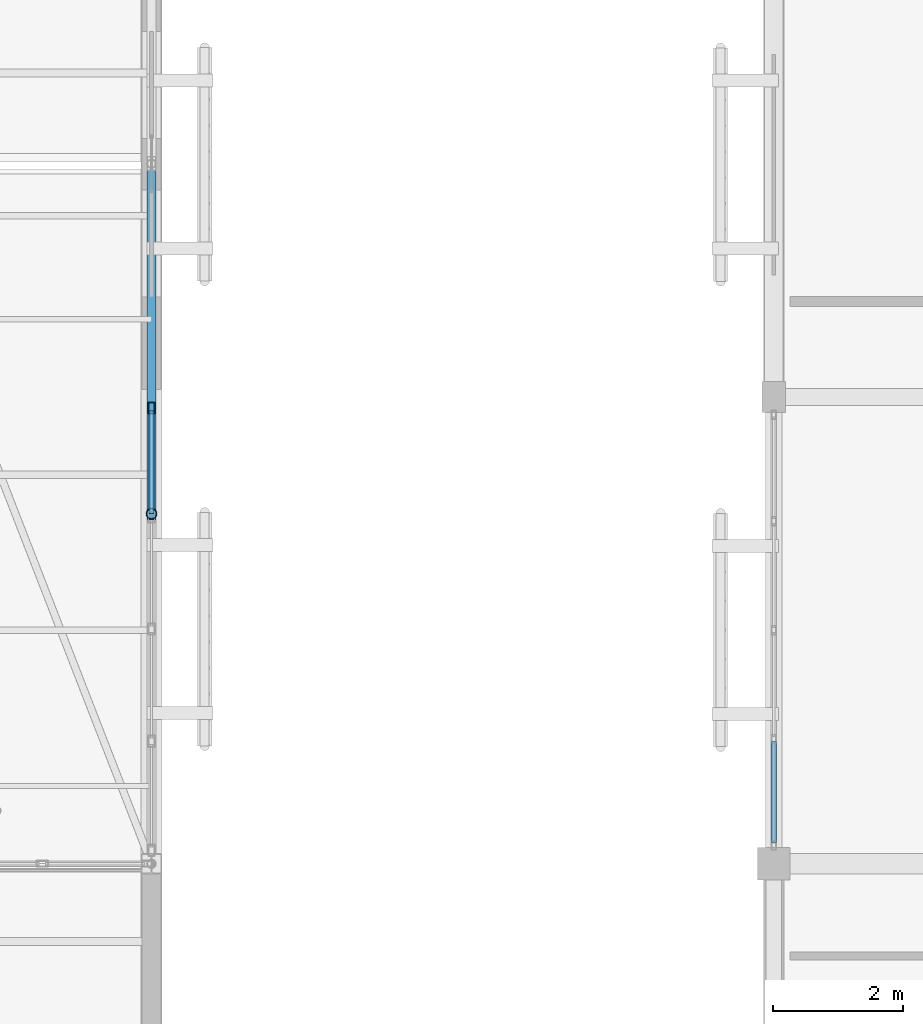
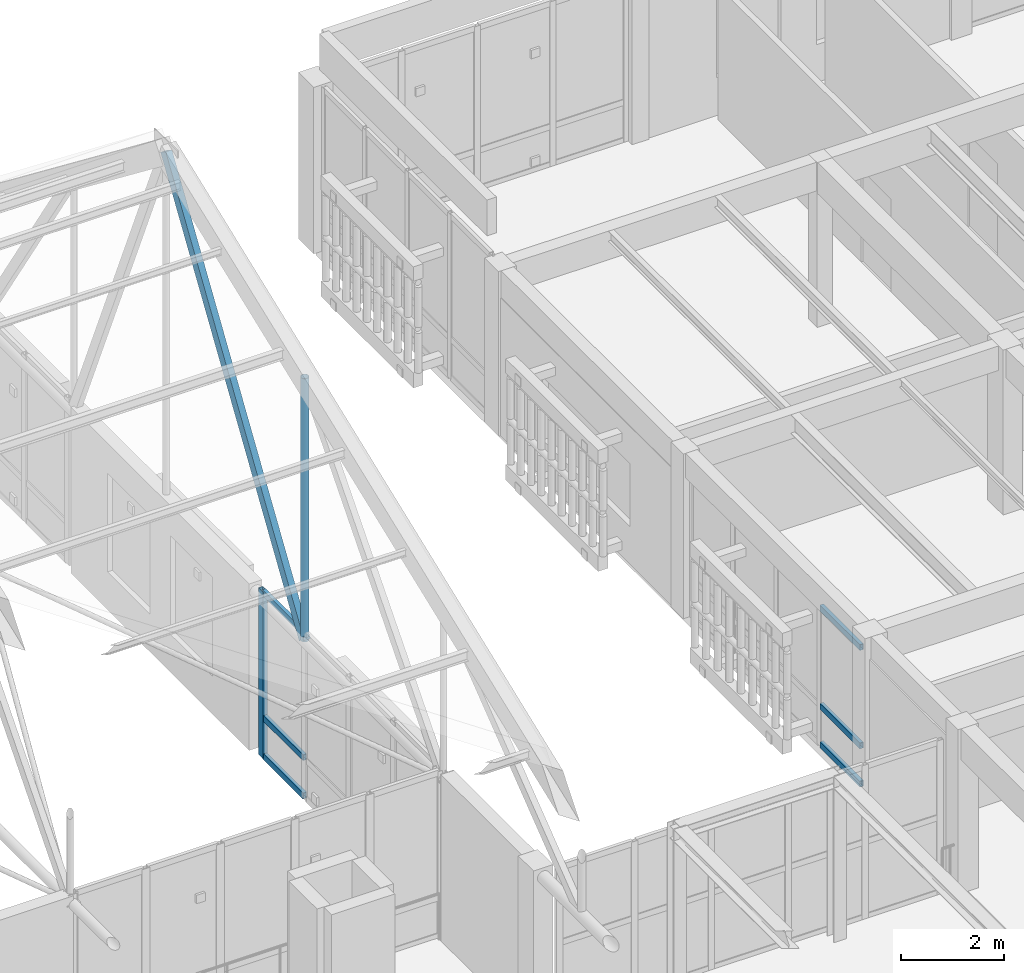
# One storey, part 112 of 217: 9 members, 2 elements without a shape of their own.
"""IFC4 building model written with IfcOpenShell, lengths in metres."""

import ifcopenshell
import ifcopenshell.guid

model = None  # the IFC model being written
_history = None  # IfcOwnerHistory: only IFC2X3 demands one
_inside = {}  # id of a spatial element -> (the spatial element, [elements in it])
_under = {}  # id of a project, library or spatial element -> (it, [spatial elements below it])
_declared = {}  # id of a project -> (the project, [libraries it declares])
_typed = {}  # id of a type object -> (the type object, [elements of that type])
_made_of = {}  # id of a material, layer set ... -> (it, [elements and type objects made of it])


def new_model(schema):
    """Start an empty IFC model of exactly this schema.

    Asked for "IFC4X3", IfcOpenShell would pick the latest addendum, in which some entities
    have other attributes; the version numbers below select the first issue.
    IFC2X3 requires an IfcOwnerHistory on every rooted entity: one is made here for all.
    """
    global model, _history
    if schema == "IFC4X3":
        model = ifcopenshell.file(schema_version=(4, 3, 0, 0))
    else:
        model = ifcopenshell.file(schema=schema)
    _inside.clear()
    _under.clear()
    _declared.clear()
    _typed.clear()
    _made_of.clear()
    _history = None
    if model.schema == "IFC2X3":
        org = make("IfcOrganization", Name="unknown")
        user = make(
            "IfcPersonAndOrganization",
            ThePerson=make("IfcPerson", FamilyName="unknown"),
            TheOrganization=org,
        )
        app = make(
            "IfcApplication",
            ApplicationDeveloper=org,
            Version="unknown",
            ApplicationFullName="unknown",
            ApplicationIdentifier="unknown",
        )
        _history = make(
            "IfcOwnerHistory",
            OwningUser=user,
            OwningApplication=app,
            ChangeAction="ADDED",
            CreationDate=0,
        )
    return model


def make(cls, **values):
    """One entity of the class cls with the attributes given. An attribute that is None is left unset."""
    return model.create_entity(
        cls, **{name: value for name, value in values.items() if value is not None}
    )


def rooted(cls, **values):
    """An entity with a GlobalId (a new one), such as an element, a storey or a relation."""
    return make(cls, GlobalId=ifcopenshell.guid.new(), OwnerHistory=_history, **values)


def si_unit(unit_type, name, prefix=None):
    """IfcSIUnit, for example si_unit("LENGTHUNIT", "METRE", prefix="MILLI")."""
    return make("IfcSIUnit", UnitType=unit_type, Prefix=prefix, Name=name)


def assignment(units):
    """IfcUnitAssignment: the units of a project."""
    return None if units is None else make("IfcUnitAssignment", Units=units)


def point(xyz):
    """IfcCartesianPoint."""
    return None if xyz is None else make("IfcCartesianPoint", Coordinates=xyz)


def direction(xyz):
    """IfcDirection."""
    return None if xyz is None else make("IfcDirection", DirectionRatios=xyz)


def frame(location, z_axis=None, x_axis=None):
    """IfcAxis2Placement3D, a coordinate frame: its origin and axes. An axis left out is left unset."""
    return make(
        "IfcAxis2Placement3D",
        Location=point(location),
        Axis=direction(z_axis),
        RefDirection=direction(x_axis),
    )


def frame_2d(location, x_axis=None):
    """IfcAxis2Placement2D, a coordinate frame in the plane: its origin and x axis."""
    return make(
        "IfcAxis2Placement2D", Location=point(location), RefDirection=direction(x_axis)
    )


def origin():
    """The frame at (0, 0, 0) with its axes left unset."""
    return frame((0.0, 0.0, 0.0))


def origin_2d():
    """The frame at (0, 0) in the plane with its x axis left unset."""
    return frame_2d((0.0, 0.0))


def place(relative_to, where):
    """IfcLocalPlacement: puts the frame where relative to a parent placement (None: the world)."""
    return make(
        "IfcLocalPlacement", PlacementRelTo=relative_to, RelativePlacement=where
    )


def context(
    kind, dimensions, precision=None, world=None, true_north=None, identifier=None
):
    """IfcGeometricRepresentationContext, for example the 3D "Model" context."""
    return make(
        "IfcGeometricRepresentationContext",
        ContextIdentifier=identifier,
        ContextType=kind,
        CoordinateSpaceDimension=dimensions,
        Precision=precision,
        WorldCoordinateSystem=world,
        TrueNorth=true_north,
    )


def subcontext(parent, identifier, kind, view, scale=None):
    """IfcGeometricRepresentationSubContext, for example "Body" below "Model"."""
    return make(
        "IfcGeometricRepresentationSubContext",
        ContextIdentifier=identifier,
        ContextType=kind,
        ParentContext=parent,
        TargetScale=scale,
        TargetView=view,
    )


def project(units=None, contexts=None):
    """IfcProject with its units and contexts."""
    return rooted(
        "IfcProject",
        Name="project",
        RepresentationContexts=contexts,
        UnitsInContext=assignment(units),
    )


def spatial(cls, under=None, at=None, **own):
    """A site, building, storey or space (cls), placed at a placement, below another one or the project."""
    s = rooted(cls, ObjectPlacement=at, **own)
    if under is not None:
        _under.setdefault(under.id(), (under, []))[1].append(s)
    return s


def profile(cls, at=None, kind="AREA", **sizes):
    """A parametric profile (cls). Its sizes go by their IFC names, for example OverallWidth=200.0."""
    return make(cls, ProfileType=kind, Position=at, **sizes)


def hollow_rectangle(**sizes):
    """IfcRectangleHollowProfileDef."""
    return profile("IfcRectangleHollowProfileDef", **sizes)


def hollow_circle(**sizes):
    """IfcCircleHollowProfileDef."""
    return profile("IfcCircleHollowProfileDef", **sizes)


def extrude(swept, where, along, depth):
    """IfcExtrudedAreaSolid: the profile swept, set in the frame where, extruded along a direction by depth."""
    return make(
        "IfcExtrudedAreaSolid",
        SweptArea=swept,
        Position=where,
        ExtrudedDirection=direction(along),
        Depth=depth,
    )


def shape(context_of_items, identifier, shape_type, items):
    """IfcShapeRepresentation: the items that make up one representation, for example the "Body"."""
    return make(
        "IfcShapeRepresentation",
        ContextOfItems=context_of_items,
        RepresentationIdentifier=identifier,
        RepresentationType=shape_type,
        Items=items,
    )


def material(Name=None, Category=None):
    """IfcMaterial."""
    return make("IfcMaterial", Name=Name, Category=Category)


def layer(
    of_material, thickness, ventilated=None, Name=None, Category=None, Priority=None
):
    """IfcMaterialLayer: one layer of a wall or slab, of a material (None: an air gap)."""
    return make(
        "IfcMaterialLayer",
        Material=of_material,
        LayerThickness=thickness,
        IsVentilated=ventilated,
        Name=Name,
        Category=Category,
        Priority=Priority,
    )


def layer_set(layers, Name=None):
    """IfcMaterialLayerSet."""
    return make("IfcMaterialLayerSet", MaterialLayers=layers, LayerSetName=Name)


def material_profile(
    of_material, cross_section, Name=None, Category=None, Priority=None
):
    """IfcMaterialProfile: a cross section and its material."""
    return make(
        "IfcMaterialProfile",
        Name=Name,
        Material=of_material,
        Profile=cross_section,
        Priority=Priority,
        Category=Category,
    )


def profile_set(profiles, Name=None, composite=None):
    """IfcMaterialProfileSet."""
    return make(
        "IfcMaterialProfileSet",
        Name=Name,
        MaterialProfiles=profiles,
        CompositeProfile=composite,
    )


def made_of(thing, what):
    """Note that an element or type object is made of a material, layer set ...; save() writes the relation."""
    if what is not None:
        _made_of.setdefault(what.id(), (what, []))[1].append(thing)
    return thing


def type_object(cls, material=None, **own):
    """A type object (cls), such as IfcWallType, which elements share."""
    return made_of(rooted(cls, **own), material)


def element(
    cls,
    number,
    at=None,
    inside=None,
    cuts=None,
    type_object=None,
    material=None,
    context=None,
    identifier="Body",
    shape_type=None,
    held_by="IfcProductDefinitionShape",
    body=None,
    shapes=None,
    **own,
):
    """One element of the class cls, such as IfcWall. Its Tag is "e" and its number.

    at: its placement. inside: the storey or other place that contains it. cuts: it is an
    opening in that element (IfcRelVoidsElement). A single representation is given by context,
    identifier, shape_type and body (its items); several are given by shapes. held_by: the class
    of the entity that holds the representations. save() writes the other relations.
    """
    e = rooted(cls, Tag="e%d" % number, ObjectPlacement=at, **own)
    if body is not None:
        shapes = [shape(context, identifier, shape_type, body)]
    if shapes is not None:
        e.Representation = make(held_by, Representations=shapes)
    if inside is not None:
        _inside.setdefault(inside.id(), (inside, []))[1].append(e)
    if cuts is not None:
        rooted(
            "IfcRelVoidsElement", RelatingBuildingElement=cuts, RelatedOpeningElement=e
        )
    if type_object is not None:
        _typed.setdefault(type_object.id(), (type_object, []))[1].append(e)
    return made_of(e, material)


def aggregate(whole, parts):
    """IfcRelAggregates: a whole, such as a stair, and the parts it consists of."""
    return rooted("IfcRelAggregates", RelatingObject=whole, RelatedObjects=parts)


def save(model, path):
    """Write the relations noted so far, then the file.

    IfcRelAggregates (storeys below a building ...), IfcRelContainedInSpatialStructure (elements
    in a storey), IfcRelDefinesByType, IfcRelAssociatesMaterial and IfcRelDeclares: one each for
    every whole, place, type object, material and project.
    """
    for whole, parts in _under.values():
        aggregate(whole, parts)
    for where, things in _inside.values():
        rooted(
            "IfcRelContainedInSpatialStructure",
            RelatedElements=things,
            RelatingStructure=where,
        )
    for kind, things in _typed.values():
        rooted("IfcRelDefinesByType", RelatedObjects=things, RelatingType=kind)
    for what, things in _made_of.values():
        rooted("IfcRelAssociatesMaterial", RelatedObjects=things, RelatingMaterial=what)
    for by, libraries in _declared.values():
        rooted("IfcRelDeclares", RelatingContext=by, RelatedDefinitions=libraries)
    model.write(path)


model = new_model("IFC4")

# Units and contexts
model_context = context("Model", 3, precision=1e-05, world=origin(), true_north=direction((0.0, 1.0)))
body_context = subcontext(model_context, "Body", "Model", "MODEL_VIEW")
ifc_project = project(units=[si_unit("LENGTHUNIT", "METRE"), si_unit("AREAUNIT", "SQUARE_METRE"), si_unit("VOLUMEUNIT", "CUBIC_METRE"), si_unit("PLANEANGLEUNIT", "RADIAN"), si_unit("MASSUNIT", "GRAM", prefix="KILO")], contexts=[model_context])

# Site, building, storey
site_placement = place(None, origin())
site = spatial("IfcSite", under=ifc_project, at=site_placement, CompositionType="ELEMENT")
building_placement = place(site_placement, origin())
building = spatial("IfcBuilding", under=site, at=building_placement, Name="Mazaris Harbour Polytechnic", CompositionType="ELEMENT")
storey_placement = place(building_placement, frame((0.0, 0.0, 9.60009765625)))
storey = spatial("IfcBuildingStorey", under=building, at=storey_placement, Name="L02", CompositionType="ELEMENT", Elevation=9.60009765625)

# Curtain wall, members
ifc_material_1 = material(Name="Anodised Bronze Aluminium and Low-E Glass", Category="aluminium")
ifc_layer_1 = layer(ifc_material_1, 0.14990234375, Name="Anodised Bronze Aluminium and Low-E Glass")
ifc_layer_set_1 = layer_set([ifc_layer_1], Name="Anodised Bronze Aluminium and Low-E Glass")
curtain_wall_type_1 = type_object("IfcCurtainWallType", Name="Workshop Clerestory Curtain Wall", PredefinedType="NOTDEFINED", material=ifc_layer_set_1)
curtain_wall_1_placement = place(storey_placement, origin())
curtain_wall_1 = element("IfcCurtainWall", 1, at=curtain_wall_1_placement, inside=storey, type_object=curtain_wall_type_1, Name="V1 L02 Curtain Wall 35", PredefinedType="NOTDEFINED")
ifc_material_2 = material(Name="Anodised Bronze Steel S355", Category="steel")
ifc_material_profile_1 = material_profile(ifc_material_2, hollow_rectangle(XDim=0.10009765625, YDim=0.179931640625, WallThickness=0.008056640625, at=origin_2d()), Name="RHS 100x180x8.0")
ifc_profile_set_1 = profile_set([ifc_material_profile_1], Name="Anodised Bronze Steel S355")
member_type_1 = type_object("IfcMemberType", Name="Curtain Mullion RHS100x180", PredefinedType="MULLION", material=ifc_profile_set_1)
member_1_placement = place(storey_placement, frame((112.800048828125, 93.43310546875, 0.0), z_axis=(0.0, 0.0, 1.0), x_axis=(1.0, 0.0, 0.0)))
member_1 = element("IfcMember", 2, at=member_1_placement, type_object=member_type_1, Name="CW-04 mullion 1", PredefinedType="MULLION", context=body_context, shape_type="SweptSolid", body=[
    extrude(hollow_rectangle(XDim=0.10009765625, YDim=0.179931640625, WallThickness=0.008056640625, at=origin_2d()), origin(), (0.0, 0.0, 1.0), 3.9599609375),
])
ifc_material_3 = material(Name="Anodised Bronze Steel S355", Category="steel")
ifc_material_profile_2 = material_profile(ifc_material_3, hollow_rectangle(XDim=0.080078125, YDim=0.139892578125, WallThickness=0.00634765625, at=origin_2d()), Name="RHS 80x140x6.3")
ifc_profile_set_2 = profile_set([ifc_material_profile_2], Name="Anodised Bronze Steel S355")
member_type_2 = type_object("IfcMemberType", Name="Curtain Transom RHS80x140", PredefinedType="USERDEFINED", material=ifc_profile_set_2)
member_2_placement = place(storey_placement, frame((112.800048828125, 93.383056640625, 0.039794921875), z_axis=(0.0, -1.0, 0.0), x_axis=(1.0, 0.0, 0.0)))
member_2 = element("IfcMember", 3, at=member_2_placement, type_object=member_type_2, Name="CW-04 transom 1.1", ObjectType="TRANSOM", PredefinedType="USERDEFINED", context=body_context, shape_type="SweptSolid", body=[
    extrude(hollow_rectangle(XDim=0.080078125, YDim=0.139892578125, WallThickness=0.00634765625, at=origin_2d()), origin(), (0.0, 0.0, 1.0), 1.58154296875),
])
member_3_placement = place(storey_placement, frame((112.800048828125, 93.383056640625, 0.949951171875), z_axis=(0.0, -1.0, 0.0), x_axis=(1.0, 0.0, 0.0)))
member_3 = element("IfcMember", 4, at=member_3_placement, type_object=member_type_2, Name="CW-04 transom 1.2", ObjectType="TRANSOM", PredefinedType="USERDEFINED", context=body_context, shape_type="SweptSolid", body=[
    extrude(hollow_rectangle(XDim=0.080078125, YDim=0.139892578125, WallThickness=0.00634765625, at=origin_2d()), origin(), (0.0, 0.0, 1.0), 1.58154296875),
])
member_4_placement = place(storey_placement, frame((112.800048828125, 93.383056640625, 3.919921875), z_axis=(0.0, -1.0, 0.0), x_axis=(1.0, 0.0, 0.0)))
member_4 = element("IfcMember", 5, at=member_4_placement, type_object=member_type_2, Name="CW-04 transom 1.3", ObjectType="TRANSOM", PredefinedType="USERDEFINED", context=body_context, shape_type="SweptSolid", body=[
    extrude(hollow_rectangle(XDim=0.080078125, YDim=0.139892578125, WallThickness=0.00634765625, at=origin_2d()), origin(), (0.0, 0.0, 1.0), 1.58154296875),
])
aggregate(curtain_wall_1, [member_1, member_2, member_3, member_4])

ifc_material_4 = material(Name="Anodised Bronze Aluminium and Low-E Glass", Category="aluminium")
ifc_layer_2 = layer(ifc_material_4, 0.169921875, Name="Anodised Bronze Aluminium and Low-E Glass")
ifc_layer_set_2 = layer_set([ifc_layer_2], Name="Anodised Bronze Aluminium and Low-E Glass")
curtain_wall_type_2 = type_object("IfcCurtainWallType", Name="Studio North-Light Curtain Wall", PredefinedType="NOTDEFINED", material=ifc_layer_set_2)
curtain_wall_2_placement = place(storey_placement, origin())
curtain_wall_2 = element("IfcCurtainWall", 6, at=curtain_wall_2_placement, inside=storey, type_object=curtain_wall_type_2, Name="V5 L02 Curtain Wall 233", PredefinedType="NOTDEFINED")
member_5_placement = place(storey_placement, frame((122.39990234375, 86.721923828125, 0.039794921875), z_axis=(0.0, 1.0, 0.0), x_axis=(-1.0, 0.0, 0.0)))
member_5 = element("IfcMember", 7, at=member_5_placement, type_object=member_type_2, Name="CW-03 transom 1.1", ObjectType="TRANSOM", PredefinedType="USERDEFINED", context=body_context, shape_type="SweptSolid", body=[
    extrude(hollow_rectangle(XDim=0.080078125, YDim=0.139892578125, WallThickness=0.00634765625, at=origin_2d()), origin(), (0.0, 0.0, 1.0), 1.5615234375),
])
member_6_placement = place(storey_placement, frame((122.39990234375, 86.721923828125, 0.949951171875), z_axis=(0.0, 1.0, 0.0), x_axis=(-1.0, 0.0, 0.0)))
member_6 = element("IfcMember", 8, at=member_6_placement, type_object=member_type_2, Name="CW-03 transom 1.2", ObjectType="TRANSOM", PredefinedType="USERDEFINED", context=body_context, shape_type="SweptSolid", body=[
    extrude(hollow_rectangle(XDim=0.080078125, YDim=0.139892578125, WallThickness=0.00634765625, at=origin_2d()), origin(), (0.0, 0.0, 1.0), 1.5615234375),
])
member_7_placement = place(storey_placement, frame((122.39990234375, 86.721923828125, 3.289794921875), z_axis=(0.0, 1.0, 0.0), x_axis=(-1.0, 0.0, 0.0)))
member_7 = element("IfcMember", 9, at=member_7_placement, type_object=member_type_2, Name="CW-03 transom 1.3", ObjectType="TRANSOM", PredefinedType="USERDEFINED", context=body_context, shape_type="SweptSolid", body=[
    extrude(hollow_rectangle(XDim=0.080078125, YDim=0.139892578125, WallThickness=0.00634765625, at=origin_2d()), origin(), (0.0, 0.0, 1.0), 1.5615234375),
])
aggregate(curtain_wall_2, [member_5, member_6, member_7])

# Members
ifc_material_5 = material(Name="Steel S355", Category="steel")
ifc_material_profile_3 = material_profile(ifc_material_5, hollow_rectangle(XDim=0.139892578125, YDim=0.239990234375, WallThickness=0.010009765625, at=origin_2d()), Name="RHS 140x240x10.0")
ifc_profile_set_3 = profile_set([ifc_material_profile_3], Name="Steel S355")
member_type_3 = type_object("IfcMemberType", Name="Steel Truss Diagonal RHS140x240", PredefinedType="BRACE", material=ifc_profile_set_3)
member_8_placement = place(storey_placement, frame((112.800048828125, 91.800048828125, 3.75), z_axis=(0.0, 0.543042568824, 0.839705167571), x_axis=(-1.0, 0.0, 0.0)))
element("IfcMember", 10, at=member_8_placement, inside=storey, type_object=member_type_3, Name="Truss 8 Web Diagonal S4", PredefinedType="BRACE", context=body_context, shape_type="SweptSolid", body=[
    extrude(hollow_rectangle(XDim=0.139892578125, YDim=0.239990234375, WallThickness=0.010009765625, at=origin_2d()), origin(), (0.0, 0.0, 1.0), 9.94384765625),
])
ifc_material_6 = material(Name="Steel S355", Category="steel")
ifc_material_profile_4 = material_profile(ifc_material_6, hollow_circle(Radius=0.084228515625, WallThickness=0.008056640625, at=origin_2d()), Name="CHS 168.3x8.0")
ifc_profile_set_4 = profile_set([ifc_material_profile_4], Name="Steel S355")
member_type_4 = type_object("IfcMemberType", Name="Steel Truss Strut CHS168", PredefinedType="STRUT", material=ifc_profile_set_4)
member_9_placement = place(storey_placement, frame((112.800048828125, 91.800048828125, 3.75), z_axis=(0.0, 0.0, 1.0), x_axis=(1.0, 0.0, 0.0)))
element("IfcMember", 11, at=member_9_placement, inside=storey, type_object=member_type_4, Name="Truss 8 Web Post S3", PredefinedType="STRUT", context=body_context, shape_type="SweptSolid", body=[
    extrude(hollow_circle(Radius=0.084228515625, WallThickness=0.008056640625, at=origin_2d()), origin(), (0.0, 0.0, 1.0), 6.262451171875),
])

save(model, "model.ifc")
